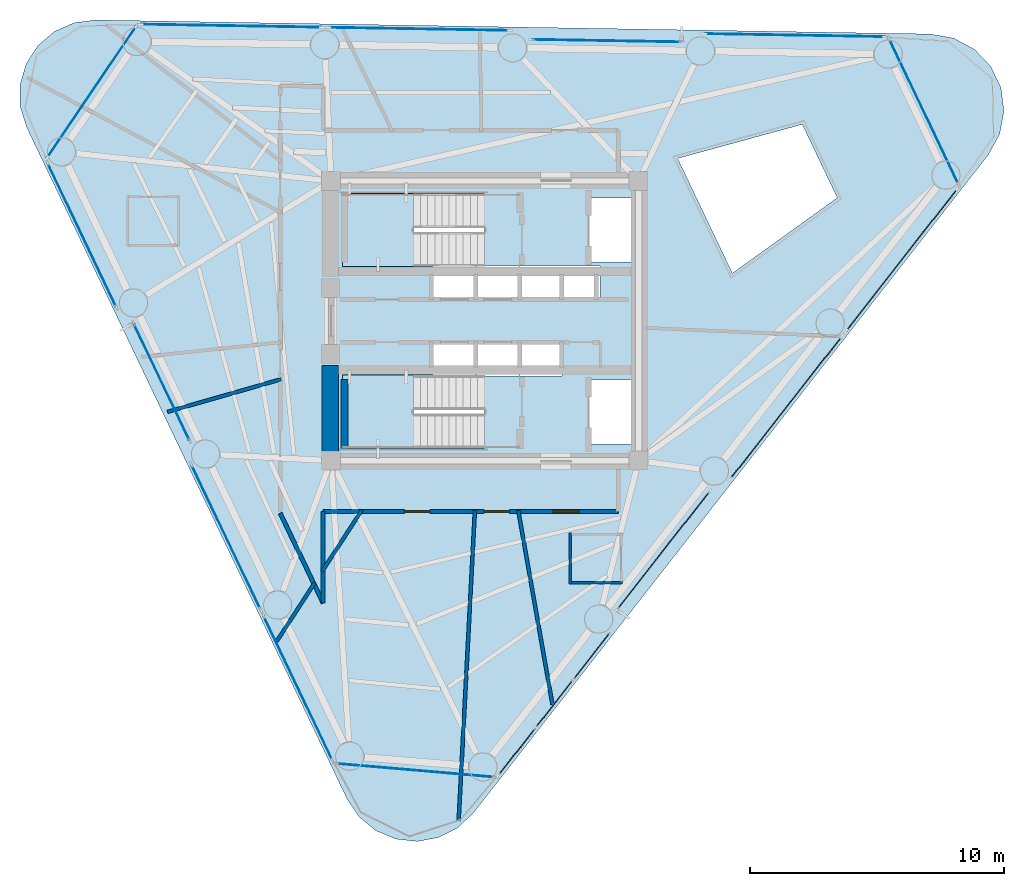
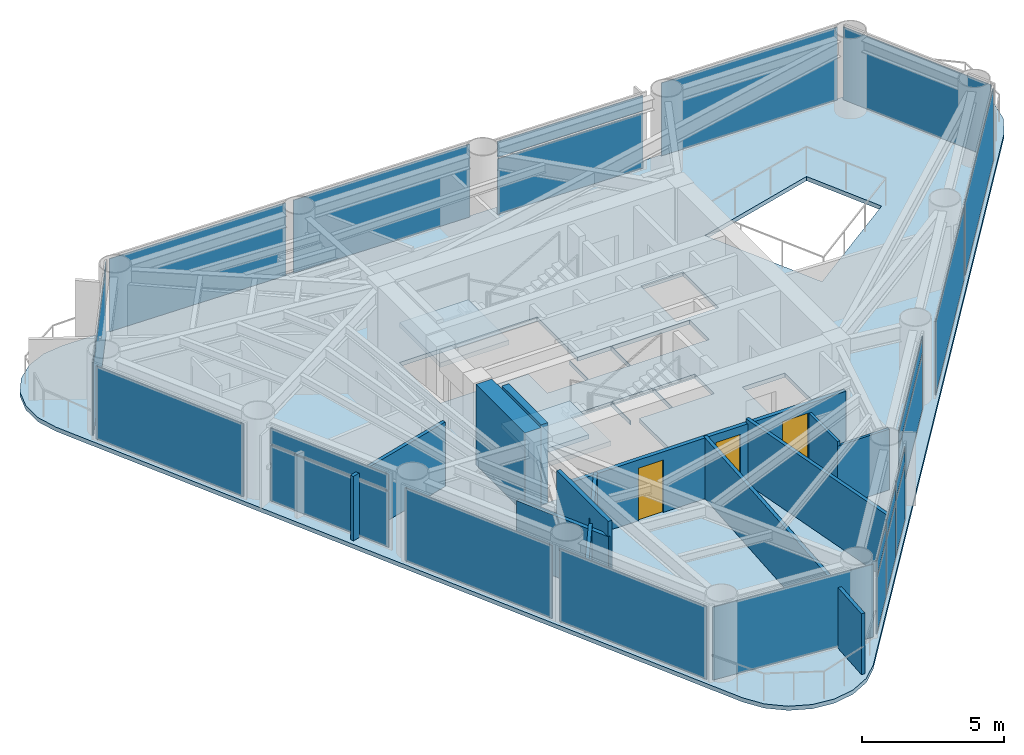
# One storey, part 4 of 9: 23 plates, 12 walls, 3 doors, 3 slabs, 3 openings, 17 elements without a shape of their own.
"""IFC4 building model written with IfcOpenShell, lengths in metres."""

from ifc_helpers import new_model, si_unit, direction, frame, frame_2d, origin, origin_2d, place, context, subcontext, project, spatial, polyline, rectangle, outline, extrude, source, transform, mapped, material, layer, layer_set, type_object, element, fill, aggregate, save


model = new_model("IFC4")

# Units and contexts
model_context = context("Model", 3, precision=1e-05, world=origin(), true_north=direction((0.0, 1.0)))
body_context = subcontext(model_context, "Body", "Model", "MODEL_VIEW")
ifc_project = project(units=[si_unit("LENGTHUNIT", "METRE"), si_unit("AREAUNIT", "SQUARE_METRE"), si_unit("VOLUMEUNIT", "CUBIC_METRE"), si_unit("PLANEANGLEUNIT", "RADIAN"), si_unit("MASSUNIT", "GRAM", prefix="KILO")], contexts=[model_context])

# Site, building, storey
site_placement = place(None, origin())
site = spatial("IfcSite", under=ifc_project, at=site_placement, CompositionType="ELEMENT")
building_placement = place(site_placement, origin())
building = spatial("IfcBuilding", under=site, at=building_placement, Name="Yunling Apex Tower", CompositionType="ELEMENT")
storey_placement = place(building_placement, frame((0.0, 0.0, 194.89990234375)))
storey = spatial("IfcBuildingStorey", under=building, at=storey_placement, Name="L47", CompositionType="ELEMENT", Elevation=194.89990234375)

# Slab
ifc_material_1 = material(Name="Concrete C40", Category="concrete")
ifc_layer_1 = layer(ifc_material_1, 0.1650390625)
ifc_layer_set_1 = layer_set([ifc_layer_1], Name="Concrete C40")
slab_type_1 = type_object("IfcSlabType", Name="SL-FLR-2", PredefinedType="FLOOR", material=ifc_layer_set_1)
slab_1_placement = place(storey_placement, frame((0.0, 0.0, -0.179931640625)))
element("IfcSlab", 1, at=slab_1_placement, inside=storey, type_object=slab_type_1, Name="L47 Composite Tower Floor Slab", PredefinedType="FLOOR", context=body_context, shape_type="SweptSolid", body=[
    extrude(outline(polyline([(-5.42578125, -18.80419921875), (-4.95068359375, -19.513427734375), (-4.29248046875, -20.056884765625), (-3.506103515625, -20.38916015625), (-2.65771484375, -20.482421875), (-1.818115234375, -20.32861328125), (-1.0576171875, -19.941162109375), (-0.439697265625, -19.35205078125), (19.8017578125, 6.518798828125), (20.25244140625, 7.333251953125), (20.427001953125, 8.24755859375), (20.307861328125, 9.1708984375), (19.9072265625, 10.010986328125), (19.2646484375, 10.684326171875), (18.4443359375, 11.1240234375), (17.527587890625, 11.286376953125), (-15.316162109375, 11.8369140625), (-16.16259765625, 11.7275390625), (-16.9423828125, 11.38037109375), (-17.59033203125, 10.824462890625), (-18.0517578125, 10.1064453125), (-18.288330078125, 9.286376953125), (-18.2802734375, 8.4326171875), (-18.0283203125, 7.6171875), (-5.42578125, -18.80419921875)]), holes=[polyline([(12.489013671875, 7.7294921875), (13.86669921875, 4.84130859375), (9.7412109375, 1.87646484375), (7.58837890625, 6.389404296875), (12.489013671875, 7.7294921875)]), polyline([(4.090087890625, -2.320068359375), (5.81005859375, -2.320068359375), (5.81005859375, -4.840087890625), (4.090087890625, -4.840087890625), (4.090087890625, -2.320068359375)]), polyline([(5.81005859375, 4.840087890625), (5.81005859375, 2.320068359375), (4.090087890625, 2.320068359375), (4.090087890625, 4.840087890625), (5.81005859375, 4.840087890625)]), polyline([(1.364990234375, 2.1650390625), (4.534912109375, 2.1650390625), (4.534912109375, 0.794921875), (1.364990234375, 0.794921875), (1.364990234375, 2.1650390625)]), polyline([(3.034912109375, -0.794921875), (3.034912109375, -2.1650390625), (1.364990234375, -2.1650390625), (1.364990234375, -0.794921875), (3.034912109375, -0.794921875)]), polyline([(-2.034912109375, -0.794921875), (-0.364990234375, -0.794921875), (-0.364990234375, -2.139892578125), (-0.3349609375, -2.139892578125), (-0.3349609375, -0.794921875), (1.3349609375, -0.794921875), (1.3349609375, -2.1650390625), (-0.010009765625, -2.1650390625), (-0.010009765625, -5.010009765625), (-5.60009765625, -5.010009765625), (-5.60009765625, -2.139892578125), (-2.034912109375, -2.139892578125), (-2.034912109375, -0.794921875)]), polyline([(-5.60009765625, 2.139892578125), (-5.60009765625, 5.010009765625), (-0.010009765625, 5.010009765625), (-0.010009765625, 2.1650390625), (1.3349609375, 2.1650390625), (1.3349609375, 0.794921875), (-0.3349609375, 0.794921875), (-0.3349609375, 2.139892578125), (-0.364990234375, 2.139892578125), (-0.364990234375, 0.794921875), (-2.034912109375, 0.794921875), (-2.034912109375, 2.139892578125), (-5.60009765625, 2.139892578125)])]), origin(), (0.0, 0.0, 1.0), 0.179931640625),
])

# Stair, slab
stair_type = type_object("IfcStairType", Name="ST-TWR-2", PredefinedType="HALF_TURN_STAIR", material=ifc_material_1)
stair_1_placement = place(storey_placement, origin())
stair_1 = element("IfcStair", 2, at=stair_1_placement, inside=storey, type_object=stair_type, Name="L47 North Core Smokeproof Exit Stair ST-1", PredefinedType="HALF_TURN_STAIR")
ifc_layer_2 = layer(ifc_material_1, 0.195068359375)
ifc_layer_set_2 = layer_set([ifc_layer_2], Name="Concrete C40")
slab_type_2 = type_object("IfcSlabType", Name="SL-LND-1", PredefinedType="LANDING", material=ifc_layer_set_2)
slab_2_placement = place(storey_placement, frame((0.0, 0.0, 1.530029296875)))
slab_2 = element("IfcSlab", 3, at=slab_2_placement, type_object=slab_type_2, Name="ST-1 landing 1", PredefinedType="LANDING", context=body_context, shape_type="SweptSolid", body=[
    extrude(outline(polyline([(-2.81005859375, 5.010009765625), (-5.60009765625, 5.010009765625), (-5.60009765625, 2.139892578125), (-2.81005859375, 2.139892578125), (-2.81005859375, 5.010009765625)])), origin(), (0.0, 0.0, 1.0), 0.195068359375),
])
aggregate(stair_1, [slab_2])

stair_2_placement = place(storey_placement, origin())
stair_2 = element("IfcStair", 4, at=stair_2_placement, inside=storey, type_object=stair_type, Name="L47 South Core Smokeproof Exit Stair ST-2", PredefinedType="HALF_TURN_STAIR")
slab_3_placement = place(storey_placement, frame((0.0, 0.0, 1.530029296875)))
slab_3 = element("IfcSlab", 5, at=slab_3_placement, type_object=slab_type_2, Name="ST-2 landing 1", PredefinedType="LANDING", context=body_context, shape_type="SweptSolid", body=[
    extrude(outline(polyline([(-2.81005859375, -2.139892578125), (-5.60009765625, -2.139892578125), (-5.60009765625, -5.010009765625), (-2.81005859375, -5.010009765625), (-2.81005859375, -2.139892578125)])), origin(), (0.0, 0.0, 1.0), 0.195068359375),
])
aggregate(stair_2, [slab_3])

# Curtain wall, plates
ifc_material_2 = material(Name="Bronze anodised aluminium", Category="aluminium")
ifc_layer_3 = layer(ifc_material_2, 0.239990234375)
ifc_layer_set_3 = layer_set([ifc_layer_3], Name="Bronze anodised aluminium")
curtain_wall_type = type_object("IfcCurtainWallType", Name="CW-SYS-3", PredefinedType="NOTDEFINED", material=ifc_layer_set_3)
curtain_wall_1_placement = place(storey_placement, origin())
curtain_wall_1 = element("IfcCurtainWall", 6, at=curtain_wall_1_placement, inside=storey, type_object=curtain_wall_type, Name="CW-L47-F1-B1", PredefinedType="NOTDEFINED")
ifc_material_3 = material(Name="Bronze tinted low-E glass", Category="glass")
ifc_layer_4 = layer(ifc_material_3, 0.031982421875)
ifc_layer_set_4 = layer_set([ifc_layer_4], Name="Bronze tinted low-E glass")
plate_type = type_object("IfcPlateType", Name="CW-PNL-3", PredefinedType="CURTAIN_PANEL", material=ifc_layer_set_4)
shared_shape_1 = source(origin(), body_context, "Body", "SweptSolid", [
    extrude(rectangle(XDim=2.306396484375, YDim=0.031982421875, at=origin_2d()), origin(), (0.0, 0.0, 1.0), 2.381103515625),
])
plate_1_placement = place(storey_placement, frame((1.266357421875, -16.9443359375, 0.072265625), z_axis=(0.0, 0.0, 1.0), x_axis=(0.616200489644, 0.787589332433, 0.0)))
plate_1 = element("IfcPlate", 7, at=plate_1_placement, type_object=plate_type, Name="CW-SYS-3 panel 1.1", PredefinedType="CURTAIN_PANEL", context=body_context, shape_type="MappedRepresentation", body=[
    mapped(shared_shape_1, transform((0.0, 0.0, 0.0), scale=1.0)),
])
plate_2_placement = place(storey_placement, frame((4.212158203125, -13.17919921875, 0.072265625), z_axis=(0.0, 0.0, 1.0), x_axis=(0.616200489644, 0.787589332433, 0.0)))
plate_2 = element("IfcPlate", 8, at=plate_2_placement, type_object=plate_type, Name="CW-SYS-3 panel 3.1", PredefinedType="CURTAIN_PANEL", context=body_context, shape_type="MappedRepresentation", body=[
    mapped(shared_shape_1, transform((0.0, 0.0, 0.0), scale=1.0)),
])
shared_shape_2 = source(origin(), body_context, "Body", "SweptSolid", [
    extrude(rectangle(XDim=2.306396484375, YDim=0.031982421875, at=origin_2d()), origin(), (0.0, 0.0, 1.0), 0.680908203125),
])
plate_3_placement = place(storey_placement, frame((1.266357421875, -16.9443359375, 2.51708984375), z_axis=(0.0, 0.0, 1.0), x_axis=(0.616200489644, 0.787589332433, 0.0)))
plate_3 = element("IfcPlate", 9, at=plate_3_placement, type_object=plate_type, Name="CW-SYS-3 panel 1.2", PredefinedType="CURTAIN_PANEL", context=body_context, shape_type="MappedRepresentation", body=[
    mapped(shared_shape_2, transform((0.0, 0.0, 0.0), scale=1.0)),
])
plate_4_placement = place(storey_placement, frame((4.212158203125, -13.17919921875, 2.51708984375), z_axis=(0.0, 0.0, 1.0), x_axis=(0.616200489644, 0.787589332433, 0.0)))
plate_4 = element("IfcPlate", 10, at=plate_4_placement, type_object=plate_type, Name="CW-SYS-3 panel 3.2", PredefinedType="CURTAIN_PANEL", context=body_context, shape_type="MappedRepresentation", body=[
    mapped(shared_shape_2, transform((0.0, 0.0, 0.0), scale=1.0)),
])
shared_shape_3 = source(origin(), body_context, "Body", "SweptSolid", [
    extrude(rectangle(XDim=2.34619140625, YDim=0.031982421875, at=origin_2d()), origin(), (0.0, 0.0, 1.0), 2.381103515625),
])
plate_5_placement = place(storey_placement, frame((2.7392578125, -15.061767578125, 0.072265625), z_axis=(0.0, 0.0, 1.0), x_axis=(0.616200489644, 0.787589332433, 0.0)))
plate_5 = element("IfcPlate", 11, at=plate_5_placement, type_object=plate_type, Name="CW-SYS-3 panel 2.1", PredefinedType="CURTAIN_PANEL", context=body_context, shape_type="MappedRepresentation", body=[
    mapped(shared_shape_3, transform((0.0, 0.0, 0.0), scale=1.0)),
])
shared_shape_4 = source(origin(), body_context, "Body", "SweptSolid", [
    extrude(rectangle(XDim=2.34619140625, YDim=0.031982421875, at=origin_2d()), origin(), (0.0, 0.0, 1.0), 0.680908203125),
])
plate_6_placement = place(storey_placement, frame((2.7392578125, -15.061767578125, 2.51708984375), z_axis=(0.0, 0.0, 1.0), x_axis=(0.616200489644, 0.787589332433, 0.0)))
plate_6 = element("IfcPlate", 12, at=plate_6_placement, type_object=plate_type, Name="CW-SYS-3 panel 2.2", PredefinedType="CURTAIN_PANEL", context=body_context, shape_type="MappedRepresentation", body=[
    mapped(shared_shape_4, transform((0.0, 0.0, 0.0), scale=1.0)),
])
aggregate(curtain_wall_1, [plate_1, plate_3, plate_5, plate_6, plate_2, plate_4])

# Curtain wall, plate
curtain_wall_2_placement = place(storey_placement, origin())
curtain_wall_2 = element("IfcCurtainWall", 13, at=curtain_wall_2_placement, inside=storey, type_object=curtain_wall_type, Name="CW-L47-F1-B2", PredefinedType="NOTDEFINED")
shared_shape_5 = source(origin(), body_context, "Body", "SweptSolid", [
    extrude(rectangle(XDim=5.846923828125, YDim=0.031982421875, at=origin_2d()), origin(), (0.0, 0.0, 1.0), 2.381103515625),
])
plate_7_placement = place(storey_placement, frame((7.025634765625, -9.03125, 0.072265625), z_axis=(0.0, 0.0, 1.0), x_axis=(0.616216892053, 0.787576499109, 0.0)))
plate_7 = element("IfcPlate", 14, at=plate_7_placement, type_object=plate_type, Name="CW-SYS-3 panel 1.1", PredefinedType="CURTAIN_PANEL", context=body_context, shape_type="MappedRepresentation", body=[
    mapped(shared_shape_5, transform((0.0, 0.0, 0.0), scale=1.0)),
])

curtain_wall_3_placement = place(storey_placement, origin())
curtain_wall_3 = element("IfcCurtainWall", 15, at=curtain_wall_3_placement, inside=storey, type_object=curtain_wall_type, Name="CW-L47-F2-B2", PredefinedType="NOTDEFINED")
plate_8_placement = place(storey_placement, frame((4.792724609375, 11.019775390625, 0.072265625), z_axis=(0.0, 0.0, 1.0), x_axis=(-0.999859564213, 0.016758635119, 0.0)))
plate_8 = element("IfcPlate", 16, at=plate_8_placement, type_object=plate_type, Name="CW-SYS-3 panel 1.1", PredefinedType="CURTAIN_PANEL", context=body_context, shape_type="MappedRepresentation", body=[
    mapped(shared_shape_5, transform((0.0, 0.0, 0.0), scale=1.0)),
])

# Plate
shared_shape_6 = source(origin(), body_context, "Body", "SweptSolid", [
    extrude(rectangle(XDim=5.846923828125, YDim=0.031982421875, at=origin_2d()), origin(), (0.0, 0.0, 1.0), 0.680908203125),
])
plate_9_placement = place(storey_placement, frame((7.025634765625, -9.03125, 2.51708984375), z_axis=(0.0, 0.0, 1.0), x_axis=(0.616216892053, 0.787576499109, 0.0)))
plate_9 = element("IfcPlate", 17, at=plate_9_placement, type_object=plate_type, Name="CW-SYS-3 panel 1.2", PredefinedType="CURTAIN_PANEL", context=body_context, shape_type="MappedRepresentation", body=[
    mapped(shared_shape_6, transform((0.0, 0.0, 0.0), scale=1.0)),
])

aggregate(curtain_wall_2, [plate_7, plate_9])

plate_10_placement = place(storey_placement, frame((4.792724609375, 11.019775390625, 2.51708984375), z_axis=(0.0, 0.0, 1.0), x_axis=(-0.999859564213, 0.016758635119, 0.0)))
plate_10 = element("IfcPlate", 18, at=plate_10_placement, type_object=plate_type, Name="CW-SYS-3 panel 1.2", PredefinedType="CURTAIN_PANEL", context=body_context, shape_type="MappedRepresentation", body=[
    mapped(shared_shape_6, transform((0.0, 0.0, 0.0), scale=1.0)),
])

aggregate(curtain_wall_3, [plate_8, plate_10])

# Curtain wall, plate
curtain_wall_4_placement = place(storey_placement, origin())
curtain_wall_4 = element("IfcCurtainWall", 19, at=curtain_wall_4_placement, inside=storey, type_object=curtain_wall_type, Name="CW-L47-F1-B3", PredefinedType="NOTDEFINED")
shared_shape_7 = source(origin(), body_context, "Body", "SweptSolid", [
    extrude(rectangle(XDim=7.0869140625, YDim=0.031982421875, at=origin_2d()), origin(), (0.0, 0.0, 1.0), 3.1259765625),
])
plate_11_placement = place(storey_placement, frame((11.847900390625, -3.419921875, 0.072021484375), z_axis=(0.0, 0.0, 1.0), x_axis=(0.616200489644, 0.787589332433, 0.0)))
plate_11 = element("IfcPlate", 20, at=plate_11_placement, type_object=plate_type, Name="CW-SYS-3 panel 1.1", PredefinedType="CURTAIN_PANEL", context=body_context, shape_type="MappedRepresentation", body=[
    mapped(shared_shape_7, transform((0.0, 0.0, 0.0), scale=1.0)),
])
aggregate(curtain_wall_4, [plate_11])

curtain_wall_5_placement = place(storey_placement, origin())
curtain_wall_5 = element("IfcCurtainWall", 21, at=curtain_wall_5_placement, inside=storey, type_object=curtain_wall_type, Name="CW-L47-F1-B4", PredefinedType="NOTDEFINED")
plate_12_placement = place(storey_placement, frame((16.402099609375, 2.401123046875, 0.072021484375), z_axis=(0.0, 0.0, 1.0), x_axis=(0.616200489644, 0.787589332433, 0.0)))
plate_12 = element("IfcPlate", 22, at=plate_12_placement, type_object=plate_type, Name="CW-SYS-3 panel 1.1", PredefinedType="CURTAIN_PANEL", context=body_context, shape_type="MappedRepresentation", body=[
    mapped(shared_shape_7, transform((0.0, 0.0, 0.0), scale=1.0)),
])
aggregate(curtain_wall_5, [plate_12])

curtain_wall_6_placement = place(storey_placement, origin())
curtain_wall_6 = element("IfcCurtainWall", 23, at=curtain_wall_6_placement, inside=storey, type_object=curtain_wall_type, Name="CW-L47-F2-B1", PredefinedType="NOTDEFINED")
plate_13_placement = place(storey_placement, frame((12.188232421875, 11.23583984375, 0.072021484375), z_axis=(0.0, 0.0, 1.0), x_axis=(-0.999859518498, 0.016761362354, 0.0)))
plate_13 = element("IfcPlate", 24, at=plate_13_placement, type_object=plate_type, Name="CW-SYS-3 panel 1.1", PredefinedType="CURTAIN_PANEL", context=body_context, shape_type="MappedRepresentation", body=[
    mapped(shared_shape_7, transform((0.0, 0.0, 0.0), scale=1.0)),
])
aggregate(curtain_wall_6, [plate_13])

curtain_wall_7_placement = place(storey_placement, origin())
curtain_wall_7 = element("IfcCurtainWall", 25, at=curtain_wall_7_placement, inside=storey, type_object=curtain_wall_type, Name="CW-L47-F2-B3", PredefinedType="NOTDEFINED")
plate_14_placement = place(storey_placement, frame((-2.591552734375, 11.483642578125, 0.072021484375), z_axis=(0.0, 0.0, 1.0), x_axis=(-0.999859754051, 0.016747305141, 0.0)))
plate_14 = element("IfcPlate", 26, at=plate_14_placement, type_object=plate_type, Name="CW-SYS-3 panel 1.1", PredefinedType="CURTAIN_PANEL", context=body_context, shape_type="MappedRepresentation", body=[
    mapped(shared_shape_7, transform((0.0, 0.0, 0.0), scale=1.0)),
])
aggregate(curtain_wall_7, [plate_14])

curtain_wall_8_placement = place(storey_placement, origin())
curtain_wall_8 = element("IfcCurtainWall", 27, at=curtain_wall_8_placement, inside=storey, type_object=curtain_wall_type, Name="CW-L47-F2-B4", PredefinedType="NOTDEFINED")
plate_15_placement = place(storey_placement, frame((-9.9814453125, 11.607421875, 0.072021484375), z_axis=(0.0, 0.0, 1.0), x_axis=(-0.999859518498, 0.016761362354, 0.0)))
plate_15 = element("IfcPlate", 28, at=plate_15_placement, type_object=plate_type, Name="CW-SYS-3 panel 1.1", PredefinedType="CURTAIN_PANEL", context=body_context, shape_type="MappedRepresentation", body=[
    mapped(shared_shape_7, transform((0.0, 0.0, 0.0), scale=1.0)),
])
aggregate(curtain_wall_8, [plate_15])

curtain_wall_9_placement = place(storey_placement, origin())
curtain_wall_9 = element("IfcCurtainWall", 29, at=curtain_wall_9_placement, inside=storey, type_object=curtain_wall_type, Name="CW-L47-CRN1", PredefinedType="NOTDEFINED")
shared_shape_8 = source(origin(), body_context, "Body", "SweptSolid", [
    extrude(rectangle(XDim=6.31494140625, YDim=0.031982421875, at=origin_2d()), origin(), (0.0, 0.0, 1.0), 3.1259765625),
])
plate_16_placement = place(storey_placement, frame((17.273193359375, 8.239013671875, 0.072021484375), z_axis=(0.0, 0.0, 1.0), x_axis=(-0.430527245951, 0.902577581426, 0.0)))
plate_16 = element("IfcPlate", 30, at=plate_16_placement, type_object=plate_type, Name="CW-SYS-3 panel 1.1", PredefinedType="CURTAIN_PANEL", context=body_context, shape_type="MappedRepresentation", body=[
    mapped(shared_shape_8, transform((0.0, 0.0, 0.0), scale=1.0)),
])
aggregate(curtain_wall_9, [plate_16])

curtain_wall_10_placement = place(storey_placement, origin())
curtain_wall_10 = element("IfcCurtainWall", 31, at=curtain_wall_10_placement, inside=storey, type_object=curtain_wall_type, Name="CW-L47-CRN2", PredefinedType="NOTDEFINED")
shared_shape_9 = source(origin(), body_context, "Body", "SweptSolid", [
    extrude(rectangle(XDim=6.237060546875, YDim=0.031982421875, at=origin_2d()), origin(), (0.0, 0.0, 1.0), 3.1259765625),
])
plate_17_placement = place(storey_placement, frame((-15.465087890625, 9.007080078125, 0.072021484375), z_axis=(0.0, 0.0, 1.0), x_axis=(-0.56057021458, -0.828106898006, 0.0)))
plate_17 = element("IfcPlate", 32, at=plate_17_placement, type_object=plate_type, Name="CW-SYS-3 panel 1.1", PredefinedType="CURTAIN_PANEL", context=body_context, shape_type="MappedRepresentation", body=[
    mapped(shared_shape_9, transform((0.0, 0.0, 0.0), scale=1.0)),
])
aggregate(curtain_wall_10, [plate_17])

curtain_wall_11_placement = place(storey_placement, origin())
curtain_wall_11 = element("IfcCurtainWall", 33, at=curtain_wall_11_placement, inside=storey, type_object=curtain_wall_type, Name="CW-L47-CRN3", PredefinedType="NOTDEFINED")
plate_18_placement = place(storey_placement, frame((-2.732666015625, -17.68701171875, 0.072021484375), z_axis=(0.0, 0.0, 1.0), x_axis=(0.996336698637, -0.085517150026, 0.0)))
plate_18 = element("IfcPlate", 34, at=plate_18_placement, type_object=plate_type, Name="CW-SYS-3 panel 1.1", PredefinedType="CURTAIN_PANEL", context=body_context, shape_type="MappedRepresentation", body=[
    mapped(shared_shape_9, transform((0.0, 0.0, 0.0), scale=1.0)),
])
aggregate(curtain_wall_11, [plate_18])

curtain_wall_12_placement = place(storey_placement, origin())
curtain_wall_12 = element("IfcCurtainWall", 35, at=curtain_wall_12_placement, inside=storey, type_object=curtain_wall_type, Name="CW-L47-F3-B1", PredefinedType="NOTDEFINED")
shared_shape_10 = source(origin(), body_context, "Body", "SweptSolid", [
    extrude(rectangle(XDim=6.282470703125, YDim=0.031982421875, at=origin_2d()), origin(), (0.0, 0.0, 1.0), 3.1259765625),
])
plate_19_placement = place(storey_placement, frame((-15.85400390625, 3.384033203125, 0.072021484375), z_axis=(0.0, 0.0, 1.0), x_axis=(0.430517577128, -0.902582193367, 0.0)))
plate_19 = element("IfcPlate", 36, at=plate_19_placement, type_object=plate_type, Name="CW-SYS-3 panel 1.1", PredefinedType="CURTAIN_PANEL", context=body_context, shape_type="MappedRepresentation", body=[
    mapped(shared_shape_10, transform((0.0, 0.0, 0.0), scale=1.0)),
])
aggregate(curtain_wall_12, [plate_19])

curtain_wall_13_placement = place(storey_placement, origin())
curtain_wall_13 = element("IfcCurtainWall", 37, at=curtain_wall_13_placement, inside=storey, type_object=curtain_wall_type, Name="CW-L47-F3-B3", PredefinedType="NOTDEFINED")
plate_20_placement = place(storey_placement, frame((-10.182861328125, -8.505615234375, 0.072021484375), z_axis=(0.0, 0.0, 1.0), x_axis=(0.430504900417, -0.902588239851, 0.0)))
plate_20 = element("IfcPlate", 38, at=plate_20_placement, type_object=plate_type, Name="CW-SYS-3 panel 1.1", PredefinedType="CURTAIN_PANEL", context=body_context, shape_type="MappedRepresentation", body=[
    mapped(shared_shape_10, transform((0.0, 0.0, 0.0), scale=1.0)),
])
aggregate(curtain_wall_13, [plate_20])

curtain_wall_14_placement = place(storey_placement, origin())
curtain_wall_14 = element("IfcCurtainWall", 39, at=curtain_wall_14_placement, inside=storey, type_object=curtain_wall_type, Name="CW-L47-F3-B4", PredefinedType="NOTDEFINED")
plate_21_placement = place(storey_placement, frame((-7.347412109375, -14.450439453125, 0.072021484375), z_axis=(0.0, 0.0, 1.0), x_axis=(0.430517577128, -0.902582193367, 0.0)))
plate_21 = element("IfcPlate", 40, at=plate_21_placement, type_object=plate_type, Name="CW-SYS-3 panel 1.1", PredefinedType="CURTAIN_PANEL", context=body_context, shape_type="MappedRepresentation", body=[
    mapped(shared_shape_10, transform((0.0, 0.0, 0.0), scale=1.0)),
])
aggregate(curtain_wall_14, [plate_21])

# Curtain wall, plates
curtain_wall_15_placement = place(storey_placement, origin())
curtain_wall_15 = element("IfcCurtainWall", 41, at=curtain_wall_15_placement, inside=storey, type_object=curtain_wall_type, Name="CW-L47-F3-B2", PredefinedType="NOTDEFINED")
shared_shape_11 = source(origin(), body_context, "Body", "SweptSolid", [
    extrude(rectangle(XDim=5.042236328125, YDim=0.031982421875, at=origin_2d()), origin(), (0.0, 0.0, 1.0), 2.381103515625),
])
plate_22_placement = place(storey_placement, frame((-12.71142578125, -2.41455078125, 0.072265625), z_axis=(0.0, 0.0, 1.0), x_axis=(0.430515783062, -0.902583049107, 0.0)))
plate_22 = element("IfcPlate", 42, at=plate_22_placement, type_object=plate_type, Name="CW-SYS-3 panel 1.1", PredefinedType="CURTAIN_PANEL", context=body_context, shape_type="MappedRepresentation", body=[
    mapped(shared_shape_11, transform((0.0, 0.0, 0.0), scale=1.0)),
])
shared_shape_12 = source(origin(), body_context, "Body", "SweptSolid", [
    extrude(rectangle(XDim=5.042236328125, YDim=0.031982421875, at=origin_2d()), origin(), (0.0, 0.0, 1.0), 0.680908203125),
])
plate_23_placement = place(storey_placement, frame((-12.71142578125, -2.41455078125, 2.51708984375), z_axis=(0.0, 0.0, 1.0), x_axis=(0.430515783062, -0.902583049107, 0.0)))
plate_23 = element("IfcPlate", 43, at=plate_23_placement, type_object=plate_type, Name="CW-SYS-3 panel 1.2", PredefinedType="CURTAIN_PANEL", context=body_context, shape_type="MappedRepresentation", body=[
    mapped(shared_shape_12, transform((0.0, 0.0, 0.0), scale=1.0)),
])
aggregate(curtain_wall_15, [plate_22, plate_23])

# Walls
ifc_material_4 = material(Name="Concrete C50", Category="concrete")
ifc_layer_5 = layer(ifc_material_4, 0.64990234375)
ifc_layer_set_5 = layer_set([ifc_layer_5], Name="Concrete C50")
wall_type_1 = type_object("IfcWallType", Name="WL-COR-2", PredefinedType="SHEAR", material=ifc_layer_set_5)
wall_1_placement = place(storey_placement, frame((-6.074951171875, -5.199951171875, 0.0), z_axis=(0.0, 0.0, 1.0), x_axis=(0.0, 1.0, 0.0)))
element("IfcWall", 44, at=wall_1_placement, inside=storey, type_object=wall_type_1, Name="L47 West-South Core Shear Wall", PredefinedType="SHEAR", context=body_context, shape_type="SweptSolid", body=[
    extrude(rectangle(XDim=3.449951171875, YDim=0.64990234375, at=frame_2d((1.72509765625, 0.0))), origin(), (0.0, 0.0, 1.0), 3.4501953125),
])
ifc_layer_6 = layer(ifc_material_1, 0.280029296875)
ifc_layer_set_6 = layer_set([ifc_layer_6], Name="Concrete C40")
wall_type_2 = type_object("IfcWallType", Name="WL-COR-8", PredefinedType="SHEAR", material=ifc_layer_set_6)
wall_2_placement = place(storey_placement, frame((-5.52001953125, -5.050048828125, 0.0), z_axis=(0.0, 0.0, 1.0), x_axis=(0.0, 1.0, 0.0)))
element("IfcWall", 45, at=wall_2_placement, inside=storey, type_object=wall_type_2, Name="L47 ST-2 West Landing Bearing Wall", PredefinedType="SHEAR", context=body_context, shape_type="SweptSolid", body=[
    extrude(rectangle(XDim=2.75, YDim=0.280029296875, at=frame_2d((1.375, 0.0))), origin(), (0.0, 0.0, 1.0), 3.4501953125),
])
ifc_material_5 = material(Name="Gypsum board acoustic partition")
ifc_layer_7 = layer(ifc_material_5, 0.159912109375)
ifc_layer_set_7 = layer_set([ifc_layer_7], Name="Gypsum board acoustic partition")
wall_type_3 = type_object("IfcWallType", Name="WL-PRT-1", PredefinedType="PARTITIONING", material=ifc_layer_set_7)
wall_3_placement = place(storey_placement, frame((-6.360107421875, -11.1083984375, 0.0), z_axis=(0.0, 0.0, 1.0), x_axis=(-0.430493571255, 0.902593643401, 0.0)))
element("IfcWall", 46, at=wall_3_placement, inside=storey, type_object=wall_type_3, Name="WL-CORR-L47-01", PredefinedType="PARTITIONING", context=body_context, shape_type="SweptSolid", body=[
    extrude(rectangle(XDim=3.925537109375, YDim=0.159912109375, at=frame_2d((1.962890625, 0.0))), origin(), (0.0, 0.0, 1.0), 2.60498046875),
])

# Wall, openings, doors
wall_4_placement = place(storey_placement, frame((5.25, -7.5, 0.0), z_axis=(0.0, 0.0, 1.0), x_axis=(-1.0, 0.0, 0.0)))
wall_4 = element("IfcWall", 47, at=wall_4_placement, inside=storey, type_object=wall_type_3, Name="WL-CORR-L47-09", PredefinedType="PARTITIONING", context=body_context, shape_type="SweptSolid", body=[
    extrude(rectangle(XDim=11.610107421875, YDim=0.159912109375, at=frame_2d((5.80517578125, 0.0))), origin(), (0.0, 0.0, 1.0), 2.60498046875),
])
opening_1_placement = place(wall_4_placement, frame((1.525146484375, 0.0, 0.0)))
opening_1 = element("IfcOpeningElement", 48, at=opening_1_placement, cuts=wall_4, Name="Opening DR-FL-1", PredefinedType="OPENING", context=body_context, shape_type="SweptSolid", body=[
    extrude(rectangle(XDim=1.050048828125, YDim=2.199951171875, at=frame_2d((0.52490234375, 1.10009765625))), frame((0.0, 0.08984375, 0.0), z_axis=(0.0, -1.0, 0.0), x_axis=(1.0, 0.0, 0.0)), (0.0, 0.0, 1.0), 0.179931640625),
])
opening_2_placement = place(wall_4_placement, frame((4.28076171875, 0.0, 0.0)))
opening_2 = element("IfcOpeningElement", 49, at=opening_2_placement, cuts=wall_4, Name="Opening DR-OFF-1", PredefinedType="OPENING", context=body_context, shape_type="SweptSolid", body=[
    extrude(rectangle(XDim=1.0, YDim=2.25, at=frame_2d((0.5, 1.125))), frame((0.0, 0.08984375, 0.0), z_axis=(0.0, -1.0, 0.0), x_axis=(1.0, 0.0, 0.0)), (0.0, 0.0, 1.0), 0.179931640625),
])
opening_3_placement = place(wall_4_placement, frame((7.4091796875, 0.0, 0.0)))
opening_3 = element("IfcOpeningElement", 50, at=opening_3_placement, cuts=wall_4, Name="Opening DR-OFF-1", PredefinedType="OPENING", context=body_context, shape_type="SweptSolid", body=[
    extrude(rectangle(XDim=1.0, YDim=2.25, at=frame_2d((0.5, 1.125))), frame((0.0, 0.08984375, 0.0), z_axis=(0.0, -1.0, 0.0), x_axis=(1.0, 0.0, 0.0)), (0.0, 0.0, 1.0), 0.179931640625),
])
ifc_material_6 = material(Name="Timber fire-rated leaf", Category="wood")
door_type_1 = type_object("IfcDoorType", Name="DR-FL-1", OperationType="NOTDEFINED", PredefinedType="DOOR", material=ifc_material_6)
door_1_placement = place(opening_1_placement, origin())
door_1 = element("IfcDoor", 51, at=door_1_placement, inside=storey, type_object=door_type_1, Name="L47 Hotel Suite Door", OperationType="SINGLE_SWING_LEFT", OverallHeight=2.199951171875, OverallWidth=1.050048828125, PredefinedType="DOOR", context=body_context, shape_type="SweptSolid", body=[
    extrude(rectangle(XDim=1.050048828125, YDim=2.199951171875, at=frame_2d((0.52490234375, 1.10009765625))), frame((0.0, 0.02490234375, 0.0), z_axis=(0.0, -1.0, 0.0), x_axis=(1.0, 0.0, 0.0)), (0.0, 0.0, 1.0), 0.050048828125),
])
fill(opening_1, door_1)
door_type_2 = type_object("IfcDoorType", Name="DR-OFF-1", OperationType="NOTDEFINED", PredefinedType="DOOR", material=ifc_material_2)
door_2_placement = place(opening_2_placement, origin())
door_2 = element("IfcDoor", 52, at=door_2_placement, inside=storey, type_object=door_type_2, Name="L47 Club Lounge Door", OperationType="SINGLE_SWING_RIGHT", OverallHeight=2.25, OverallWidth=1.0, PredefinedType="DOOR", context=body_context, shape_type="SweptSolid", body=[
    extrude(rectangle(XDim=1.0, YDim=2.25, at=frame_2d((0.5, 1.125))), frame((0.0, 0.02490234375, 0.0), z_axis=(0.0, -1.0, 0.0), x_axis=(1.0, 0.0, 0.0)), (0.0, 0.0, 1.0), 0.050048828125),
])
fill(opening_2, door_2)
door_3_placement = place(opening_3_placement, origin())
door_3 = element("IfcDoor", 53, at=door_3_placement, inside=storey, type_object=door_type_2, Name="L47 Hotel Fitness Club Door", OperationType="SINGLE_SWING_LEFT", OverallHeight=2.25, OverallWidth=1.0, PredefinedType="DOOR", context=body_context, shape_type="SweptSolid", body=[
    extrude(rectangle(XDim=1.0, YDim=2.25, at=frame_2d((0.5, 1.125))), frame((0.0, 0.02490234375, 0.0), z_axis=(0.0, -1.0, 0.0), x_axis=(1.0, 0.0, 0.0)), (0.0, 0.0, 1.0), 0.050048828125),
])
fill(opening_3, door_3)

# Walls
wall_5_placement = place(storey_placement, frame((-6.360107421875, -7.5, 0.0), z_axis=(0.0, 0.0, 1.0), x_axis=(0.0, -1.0, 0.0)))
element("IfcWall", 54, at=wall_5_placement, inside=storey, type_object=wall_type_3, Name="WL-CORR-L47-10", PredefinedType="PARTITIONING", context=body_context, shape_type="SweptSolid", body=[
    extrude(rectangle(XDim=3.6083984375, YDim=0.159912109375, at=frame_2d((1.80419921875, 0.0))), origin(), (0.0, 0.0, 1.0), 3.25),
])
ifc_layer_8 = layer(ifc_material_5, 0.139892578125)
ifc_layer_set_8 = layer_set([ifc_layer_8], Name="Gypsum board acoustic partition")
wall_type_4 = type_object("IfcWallType", Name="WL-PRT-2", PredefinedType="PARTITIONING", material=ifc_layer_set_8)
wall_6_placement = place(storey_placement, frame((-8.010009765625, -2.296875, 0.0), z_axis=(0.0, 0.0, 1.0), x_axis=(-0.961260451266, -0.275641696467, 0.0)))
element("IfcWall", 55, at=wall_6_placement, inside=storey, type_object=wall_type_4, Name="WL-RAD-L47-07", PredefinedType="PARTITIONING", context=body_context, shape_type="SweptSolid", body=[
    extrude(rectangle(XDim=4.657958984375, YDim=0.139892578125, at=frame_2d((2.3291015625, 0.0))), origin(), (0.0, 0.0, 1.0), 2.76513671875),
])
wall_7_placement = place(storey_placement, frame((-4.844482421875, -7.4599609375, 0.0), z_axis=(0.0, 0.0, 1.0), x_axis=(-0.544657766351, -0.838658403376, 0.0)))
element("IfcWall", 56, at=wall_7_placement, inside=storey, type_object=wall_type_4, Name="WL-RAD-L47-08", PredefinedType="PARTITIONING", context=body_context, shape_type="SweptSolid", body=[
    extrude(rectangle(XDim=2.855712890625, YDim=0.139892578125, at=frame_2d((1.427734375, 0.0))), origin(), (0.0, 0.0, 1.0), 2.60498046875),
])
wall_8_placement = place(storey_placement, frame((-6.696044921875, -10.310791015625, 0.0), z_axis=(0.0, 0.0, 1.0), x_axis=(-0.54459891399, -0.838696621479, 0.0)))
element("IfcWall", 57, at=wall_8_placement, inside=storey, type_object=wall_type_4, Name="WL-RAD-L47-09", PredefinedType="PARTITIONING", context=body_context, shape_type="SweptSolid", body=[
    extrude(rectangle(XDim=2.73291015625, YDim=0.139892578125, at=frame_2d((1.366455078125, 0.0))), origin(), (0.0, 0.0, 1.0), 2.76513671875),
])
wall_9_placement = place(storey_placement, frame((-0.39111328125, -7.4599609375, 0.0), z_axis=(0.0, 0.0, 1.0), x_axis=(-0.052329252614, -0.998629886054, 0.0)))
element("IfcWall", 58, at=wall_9_placement, inside=storey, type_object=wall_type_4, Name="WL-RAD-L47-10", PredefinedType="PARTITIONING", context=body_context, shape_type="SweptSolid", body=[
    extrude(rectangle(XDim=12.2236328125, YDim=0.139892578125, at=frame_2d((6.11181640625, 0.0))), origin(), (0.0, 0.0, 1.0), 2.60498046875),
])
wall_10_placement = place(storey_placement, frame((1.3154296875, -7.4599609375, 0.0), z_axis=(0.0, 0.0, 1.0), x_axis=(0.173654204409, -0.984806690316, 0.0)))
element("IfcWall", 59, at=wall_10_placement, inside=storey, type_object=wall_type_4, Name="WL-RAD-L47-11", PredefinedType="PARTITIONING", context=body_context, shape_type="SweptSolid", body=[
    extrude(rectangle(XDim=7.753662109375, YDim=0.139892578125, at=frame_2d((3.876953125, 0.0))), origin(), (0.0, 0.0, 1.0), 2.76513671875),
])
ifc_layer_9 = layer(ifc_material_5, 0.10009765625)
ifc_layer_set_9 = layer_set([ifc_layer_9], Name="Gypsum board acoustic partition")
wall_type_5 = type_object("IfcWallType", Name="WL-PRT-4", PredefinedType="PARTITIONING", material=ifc_layer_set_9)
wall_11_placement = place(storey_placement, frame((5.409912109375, -10.297119140625, 0.0), z_axis=(0.0, 0.0, 1.0), x_axis=(-1.0, 0.0, 0.0)))
element("IfcWall", 60, at=wall_11_placement, inside=storey, type_object=wall_type_5, Name="WL-ENS-L47-5S", PredefinedType="PARTITIONING", context=body_context, shape_type="SweptSolid", body=[
    extrude(rectangle(XDim=2.099853515625, YDim=0.10009765625, at=frame_2d((1.0498046875, 0.0))), origin(), (0.0, 0.0, 1.0), 2.60498046875),
])
wall_12_placement = place(storey_placement, frame((3.360107421875, -10.346923828125, 0.0), z_axis=(0.0, 0.0, 1.0), x_axis=(0.0, 1.0, 0.0)))
element("IfcWall", 61, at=wall_12_placement, inside=storey, type_object=wall_type_5, Name="WL-ENS-L47-5W", PredefinedType="PARTITIONING", context=body_context, shape_type="SweptSolid", body=[
    extrude(rectangle(XDim=2.0, YDim=0.10009765625, at=frame_2d((1.0, 0.0))), origin(), (0.0, 0.0, 1.0), 2.80517578125),
])

save(model, "model.ifc")
